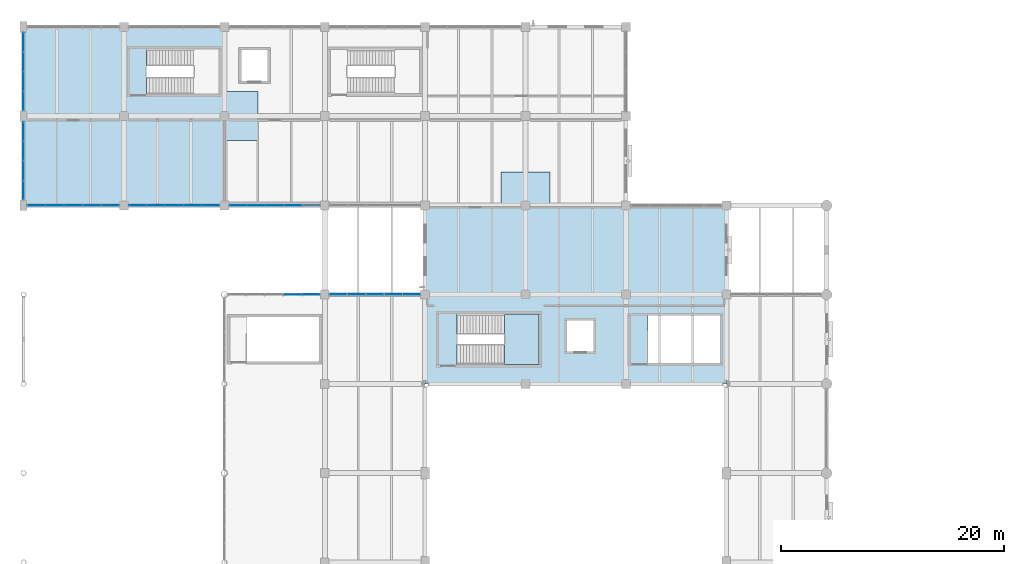
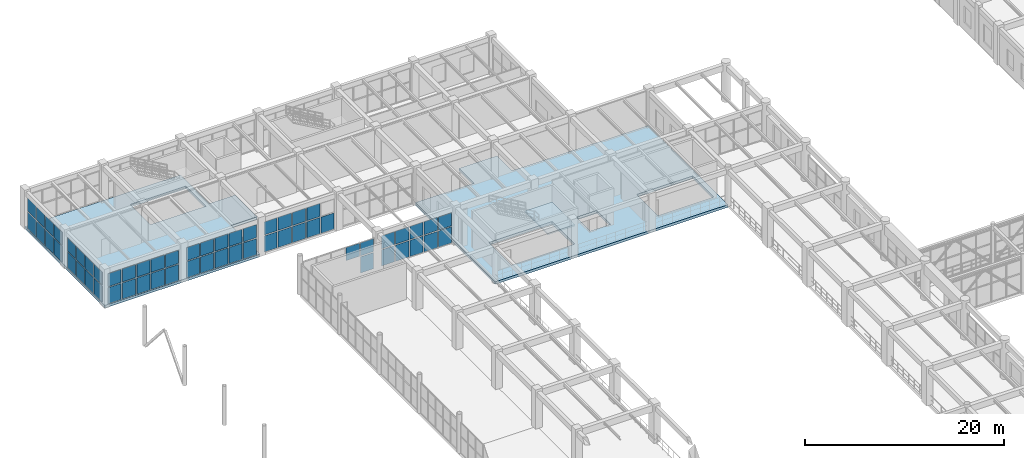
# One storey, part 145 of 178: 58 plates, 3 slabs, 8 elements without a shape of their own.
"""IFC4 building model written with IfcOpenShell, lengths in metres."""

from ifc_helpers import new_model, si_unit, derived_unit, direction, frame, origin, origin_2d, place, context, subcontext, project, spatial, polyline, rectangle, outline, extrude, material, layer, layer_set, type_object, element, aggregate, save


model = new_model("IFC4")

# Units and contexts
model_context = context("Model", 3, precision=1e-05, world=origin(), true_north=direction((0.0, 1.0)))
body_context = subcontext(model_context, "Body", "Model", "MODEL_VIEW")
ifc_project = project(units=[si_unit("LENGTHUNIT", "METRE"), si_unit("AREAUNIT", "SQUARE_METRE"), si_unit("VOLUMEUNIT", "CUBIC_METRE"), si_unit("PLANEANGLEUNIT", "RADIAN"), si_unit("MASSUNIT", "GRAM", prefix="KILO"), derived_unit("THERMALTRANSMITTANCEUNIT", [(si_unit("MASSUNIT", "GRAM", prefix="KILO"), 1), (si_unit("TIMEUNIT", "SECOND"), -3), (si_unit("THERMODYNAMICTEMPERATUREUNIT", "KELVIN"), -1)])], contexts=[model_context])

# Site, building, storey
site_placement = place(None, origin())
site = spatial("IfcSite", under=ifc_project, at=site_placement, CompositionType="ELEMENT")
building_placement = place(site_placement, origin())
building = spatial("IfcBuilding", under=site, at=building_placement, Name="Zhenchuan Archway Interchange", CompositionType="ELEMENT")
storey_placement = place(building_placement, frame((0.0, 0.0, 5.39990234375)))
storey = spatial("IfcBuildingStorey", under=building, at=storey_placement, Name="L01", CompositionType="ELEMENT", Elevation=5.39990234375)

# Curtain wall, plate
ifc_material_1 = material(Name="Anodised Aluminium", Category="aluminium")
curtain_wall_type_1 = type_object("IfcCurtainWallType", Name="CW_UNIT_2", PredefinedType="NOTDEFINED", material=ifc_material_1)
curtain_wall_1_placement = place(storey_placement, origin())
curtain_wall_1 = element("IfcCurtainWall", 1, at=curtain_wall_1_placement, inside=storey, type_object=curtain_wall_type_1, Name="Unitised curtain wall CW:L01:037", PredefinedType="NOTDEFINED")
ifc_material_2 = material(Name="Double Low-E Insulated Glazing", Category="glass")
ifc_layer_1 = layer(ifc_material_2, 0.028076171875)
ifc_layer_set_1 = layer_set([ifc_layer_1], Name="Double Low-E Insulated Glazing")
plate_type_1 = type_object("IfcPlateType", Name="CW_GLZ_1", PredefinedType="CURTAIN_PANEL", material=ifc_layer_set_1)
plate_1_placement = place(storey_placement, frame((25.783447265625, 88.0, 0.080078125), z_axis=(0.0, 0.0, 1.0), x_axis=(1.0, 0.0, 0.0)))
plate_1 = element("IfcPlate", 2, at=plate_1_placement, type_object=plate_type_1, Name="CW:L01:037 lower glazing panel 4", PredefinedType="CURTAIN_PANEL", context=body_context, shape_type="SweptSolid", body=[
    extrude(rectangle(XDim=1.51708984375, YDim=0.028076171875, at=origin_2d()), origin(), (0.0, 0.0, 1.0), 1.98291015625),
])

# Curtain wall, plates
curtain_wall_type_2 = type_object("IfcCurtainWallType", Name="CW_UNIT_3", PredefinedType="NOTDEFINED", material=ifc_material_1)
curtain_wall_2_placement = place(storey_placement, origin())
curtain_wall_2 = element("IfcCurtainWall", 3, at=curtain_wall_2_placement, inside=storey, type_object=curtain_wall_type_2, Name="Unitised curtain wall CW:L01:038", PredefinedType="NOTDEFINED")
plate_2_placement = place(storey_placement, frame((28.204345703125, 88.0, 0.080078125), z_axis=(0.0, 0.0, 1.0), x_axis=(1.0, 0.0, 0.0)))
plate_2 = element("IfcPlate", 4, at=plate_2_placement, type_object=plate_type_1, Name="CW:L01:038 lower glazing panel 0", PredefinedType="CURTAIN_PANEL", context=body_context, shape_type="SweptSolid", body=[
    extrude(rectangle(XDim=1.492919921875, YDim=0.028076171875, at=origin_2d()), origin(), (0.0, 0.0, 1.0), 1.98291015625),
])
plate_3_placement = place(storey_placement, frame((29.84716796875, 88.0, 0.080078125), z_axis=(0.0, 0.0, 1.0), x_axis=(1.0, 0.0, 0.0)))
plate_3 = element("IfcPlate", 5, at=plate_3_placement, type_object=plate_type_1, Name="CW:L01:038 lower glazing panel 1", PredefinedType="CURTAIN_PANEL", context=body_context, shape_type="SweptSolid", body=[
    extrude(rectangle(XDim=1.5126953125, YDim=0.028076171875, at=origin_2d()), origin(), (0.0, 0.0, 1.0), 1.98291015625),
])
plate_4_placement = place(storey_placement, frame((31.5, 88.0, 0.080078125), z_axis=(0.0, 0.0, 1.0), x_axis=(1.0, 0.0, 0.0)))
plate_4 = element("IfcPlate", 6, at=plate_4_placement, type_object=plate_type_1, Name="CW:L01:038 lower glazing panel 2", PredefinedType="CURTAIN_PANEL", context=body_context, shape_type="SweptSolid", body=[
    extrude(rectangle(XDim=1.5126953125, YDim=0.028076171875, at=origin_2d()), origin(), (0.0, 0.0, 1.0), 1.98291015625),
])
plate_5_placement = place(storey_placement, frame((33.15283203125, 88.0, 0.080078125), z_axis=(0.0, 0.0, 1.0), x_axis=(1.0, 0.0, 0.0)))
plate_5 = element("IfcPlate", 7, at=plate_5_placement, type_object=plate_type_1, Name="CW:L01:038 lower glazing panel 3", PredefinedType="CURTAIN_PANEL", context=body_context, shape_type="SweptSolid", body=[
    extrude(rectangle(XDim=1.5126953125, YDim=0.028076171875, at=origin_2d()), origin(), (0.0, 0.0, 1.0), 1.98291015625),
])
plate_6_placement = place(storey_placement, frame((34.795654296875, 88.0, 0.080078125), z_axis=(0.0, 0.0, 1.0), x_axis=(1.0, 0.0, 0.0)))
plate_6 = element("IfcPlate", 8, at=plate_6_placement, type_object=plate_type_1, Name="CW:L01:038 lower glazing panel 4", PredefinedType="CURTAIN_PANEL", context=body_context, shape_type="SweptSolid", body=[
    extrude(rectangle(XDim=1.492919921875, YDim=0.028076171875, at=origin_2d()), origin(), (0.0, 0.0, 1.0), 1.98291015625),
])

curtain_wall_type_3 = type_object("IfcCurtainWallType", Name="CW_UNIT_1", PredefinedType="NOTDEFINED", material=ifc_material_1)
curtain_wall_3_placement = place(storey_placement, origin())
curtain_wall_3 = element("IfcCurtainWall", 9, at=curtain_wall_3_placement, inside=storey, type_object=curtain_wall_type_3, Name="Unitised curtain wall CW:L01:040", PredefinedType="NOTDEFINED")
plate_7_placement = place(storey_placement, frame((25.795654296875, 96.0, 0.080078125), z_axis=(0.0, 0.0, 1.0), x_axis=(-1.0, 0.0, 0.0)))
plate_7 = element("IfcPlate", 10, at=plate_7_placement, type_object=plate_type_1, Name="CW:L01:040 lower glazing panel 0", PredefinedType="CURTAIN_PANEL", context=body_context, shape_type="SweptSolid", body=[
    extrude(rectangle(XDim=1.492919921875, YDim=0.028076171875, at=origin_2d()), origin(), (0.0, 0.0, 1.0), 1.98291015625),
])
plate_8_placement = place(storey_placement, frame((24.15283203125, 96.0, 0.080078125), z_axis=(0.0, 0.0, 1.0), x_axis=(-1.0, 0.0, 0.0)))
plate_8 = element("IfcPlate", 11, at=plate_8_placement, type_object=plate_type_1, Name="CW:L01:040 lower glazing panel 1", PredefinedType="CURTAIN_PANEL", context=body_context, shape_type="SweptSolid", body=[
    extrude(rectangle(XDim=1.5126953125, YDim=0.028076171875, at=origin_2d()), origin(), (0.0, 0.0, 1.0), 1.98291015625),
])
plate_9_placement = place(storey_placement, frame((22.5, 96.0, 0.080078125), z_axis=(0.0, 0.0, 1.0), x_axis=(-1.0, 0.0, 0.0)))
plate_9 = element("IfcPlate", 12, at=plate_9_placement, type_object=plate_type_1, Name="CW:L01:040 lower glazing panel 2", PredefinedType="CURTAIN_PANEL", context=body_context, shape_type="SweptSolid", body=[
    extrude(rectangle(XDim=1.5126953125, YDim=0.028076171875, at=origin_2d()), origin(), (0.0, 0.0, 1.0), 1.98291015625),
])
plate_10_placement = place(storey_placement, frame((20.84716796875, 96.0, 0.080078125), z_axis=(0.0, 0.0, 1.0), x_axis=(-1.0, 0.0, 0.0)))
plate_10 = element("IfcPlate", 13, at=plate_10_placement, type_object=plate_type_1, Name="CW:L01:040 lower glazing panel 3", PredefinedType="CURTAIN_PANEL", context=body_context, shape_type="SweptSolid", body=[
    extrude(rectangle(XDim=1.5126953125, YDim=0.028076171875, at=origin_2d()), origin(), (0.0, 0.0, 1.0), 1.98291015625),
])
plate_11_placement = place(storey_placement, frame((19.204345703125, 96.0, 0.080078125), z_axis=(0.0, 0.0, 1.0), x_axis=(-1.0, 0.0, 0.0)))
plate_11 = element("IfcPlate", 14, at=plate_11_placement, type_object=plate_type_1, Name="CW:L01:040 lower glazing panel 4", PredefinedType="CURTAIN_PANEL", context=body_context, shape_type="SweptSolid", body=[
    extrude(rectangle(XDim=1.492919921875, YDim=0.028076171875, at=origin_2d()), origin(), (0.0, 0.0, 1.0), 1.98291015625),
])

curtain_wall_4_placement = place(storey_placement, origin())
curtain_wall_4 = element("IfcCurtainWall", 15, at=curtain_wall_4_placement, inside=storey, type_object=curtain_wall_type_1, Name="Unitised curtain wall CW:L01:041", PredefinedType="NOTDEFINED")
plate_12_placement = place(storey_placement, frame((16.795654296875, 96.0, 0.080078125), z_axis=(0.0, 0.0, 1.0), x_axis=(-1.0, 0.0, 0.0)))
plate_12 = element("IfcPlate", 16, at=plate_12_placement, type_object=plate_type_1, Name="CW:L01:041 lower glazing panel 0", PredefinedType="CURTAIN_PANEL", context=body_context, shape_type="SweptSolid", body=[
    extrude(rectangle(XDim=1.492919921875, YDim=0.028076171875, at=origin_2d()), origin(), (0.0, 0.0, 1.0), 1.98291015625),
])
plate_13_placement = place(storey_placement, frame((15.15283203125, 96.0, 0.080078125), z_axis=(0.0, 0.0, 1.0), x_axis=(-1.0, 0.0, 0.0)))
plate_13 = element("IfcPlate", 17, at=plate_13_placement, type_object=plate_type_1, Name="CW:L01:041 lower glazing panel 1", PredefinedType="CURTAIN_PANEL", context=body_context, shape_type="SweptSolid", body=[
    extrude(rectangle(XDim=1.5126953125, YDim=0.028076171875, at=origin_2d()), origin(), (0.0, 0.0, 1.0), 1.98291015625),
])
plate_14_placement = place(storey_placement, frame((13.5, 96.0, 0.080078125), z_axis=(0.0, 0.0, 1.0), x_axis=(-1.0, 0.0, 0.0)))
plate_14 = element("IfcPlate", 18, at=plate_14_placement, type_object=plate_type_1, Name="CW:L01:041 lower glazing panel 2", PredefinedType="CURTAIN_PANEL", context=body_context, shape_type="SweptSolid", body=[
    extrude(rectangle(XDim=1.5126953125, YDim=0.028076171875, at=origin_2d()), origin(), (0.0, 0.0, 1.0), 1.98291015625),
])
plate_15_placement = place(storey_placement, frame((11.84716796875, 96.0, 0.080078125), z_axis=(0.0, 0.0, 1.0), x_axis=(-1.0, 0.0, 0.0)))
plate_15 = element("IfcPlate", 19, at=plate_15_placement, type_object=plate_type_1, Name="CW:L01:041 lower glazing panel 3", PredefinedType="CURTAIN_PANEL", context=body_context, shape_type="SweptSolid", body=[
    extrude(rectangle(XDim=1.5126953125, YDim=0.028076171875, at=origin_2d()), origin(), (0.0, 0.0, 1.0), 1.98291015625),
])
plate_16_placement = place(storey_placement, frame((10.204345703125, 96.0, 0.080078125), z_axis=(0.0, 0.0, 1.0), x_axis=(-1.0, 0.0, 0.0)))
plate_16 = element("IfcPlate", 20, at=plate_16_placement, type_object=plate_type_1, Name="CW:L01:041 lower glazing panel 4", PredefinedType="CURTAIN_PANEL", context=body_context, shape_type="SweptSolid", body=[
    extrude(rectangle(XDim=1.492919921875, YDim=0.028076171875, at=origin_2d()), origin(), (0.0, 0.0, 1.0), 1.98291015625),
])

curtain_wall_5_placement = place(storey_placement, origin())
curtain_wall_5 = element("IfcCurtainWall", 21, at=curtain_wall_5_placement, inside=storey, type_object=curtain_wall_type_2, Name="Unitised curtain wall CW:L01:042", PredefinedType="NOTDEFINED")
plate_17_placement = place(storey_placement, frame((7.7880859375, 96.0, 0.080078125), z_axis=(0.0, 0.0, 1.0), x_axis=(-1.0, 0.0, 0.0)))
plate_17 = element("IfcPlate", 22, at=plate_17_placement, type_object=plate_type_1, Name="CW:L01:042 lower glazing panel 0", PredefinedType="CURTAIN_PANEL", context=body_context, shape_type="SweptSolid", body=[
    extrude(rectangle(XDim=1.5078125, YDim=0.028076171875, at=origin_2d()), origin(), (0.0, 0.0, 1.0), 1.98291015625),
])
plate_18_placement = place(storey_placement, frame((6.13037109375, 96.0, 0.080078125), z_axis=(0.0, 0.0, 1.0), x_axis=(-1.0, 0.0, 0.0)))
plate_18 = element("IfcPlate", 23, at=plate_18_placement, type_object=plate_type_1, Name="CW:L01:042 lower glazing panel 1", PredefinedType="CURTAIN_PANEL", context=body_context, shape_type="SweptSolid", body=[
    extrude(rectangle(XDim=1.52783203125, YDim=0.028076171875, at=origin_2d()), origin(), (0.0, 0.0, 1.0), 1.98291015625),
])
plate_19_placement = place(storey_placement, frame((4.46240234375, 96.0, 0.080078125), z_axis=(0.0, 0.0, 1.0), x_axis=(-1.0, 0.0, 0.0)))
plate_19 = element("IfcPlate", 24, at=plate_19_placement, type_object=plate_type_1, Name="CW:L01:042 lower glazing panel 2", PredefinedType="CURTAIN_PANEL", context=body_context, shape_type="SweptSolid", body=[
    extrude(rectangle(XDim=1.52783203125, YDim=0.028076171875, at=origin_2d()), origin(), (0.0, 0.0, 1.0), 1.98291015625),
])
plate_20_placement = place(storey_placement, frame((2.794677734375, 96.0, 0.080078125), z_axis=(0.0, 0.0, 1.0), x_axis=(-1.0, 0.0, 0.0)))
plate_20 = element("IfcPlate", 25, at=plate_20_placement, type_object=plate_type_1, Name="CW:L01:042 lower glazing panel 3", PredefinedType="CURTAIN_PANEL", context=body_context, shape_type="SweptSolid", body=[
    extrude(rectangle(XDim=1.52783203125, YDim=0.028076171875, at=origin_2d()), origin(), (0.0, 0.0, 1.0), 1.98291015625),
])
plate_21_placement = place(storey_placement, frame((1.136962890625, 96.0, 0.080078125), z_axis=(0.0, 0.0, 1.0), x_axis=(-1.0, 0.0, 0.0)))
plate_21 = element("IfcPlate", 26, at=plate_21_placement, type_object=plate_type_1, Name="CW:L01:042 lower glazing panel 4", PredefinedType="CURTAIN_PANEL", context=body_context, shape_type="SweptSolid", body=[
    extrude(rectangle(XDim=1.5078125, YDim=0.028076171875, at=origin_2d()), origin(), (0.0, 0.0, 1.0), 1.98291015625),
])

# Plate
ifc_layer_2 = layer(ifc_material_2, 0.02587890625)
ifc_layer_set_2 = layer_set([ifc_layer_2], Name="Double Low-E Insulated Glazing")
plate_type_2 = type_object("IfcPlateType", Name="CW_GLZ_2", PredefinedType="CURTAIN_PANEL", material=ifc_layer_set_2)
plate_22_placement = place(storey_placement, frame((24.116455078125, 88.0, 2.18310546875), z_axis=(0.0, 0.0, 1.0), x_axis=(1.0, 0.0, 0.0)))
plate_22 = element("IfcPlate", 27, at=plate_22_placement, type_object=plate_type_2, Name="CW:L01:037 upper glazing panel 3", PredefinedType="CURTAIN_PANEL", context=body_context, shape_type="SweptSolid", body=[
    extrude(rectangle(XDim=1.537109375, YDim=0.02587890625, at=origin_2d()), origin(), (0.0, 0.0, 1.0), 1.596923828125),
])

plate_23_placement = place(storey_placement, frame((25.783447265625, 88.0, 2.18310546875), z_axis=(0.0, 0.0, 1.0), x_axis=(1.0, 0.0, 0.0)))
plate_23 = element("IfcPlate", 28, at=plate_23_placement, type_object=plate_type_2, Name="CW:L01:037 upper glazing panel 4", PredefinedType="CURTAIN_PANEL", context=body_context, shape_type="SweptSolid", body=[
    extrude(rectangle(XDim=1.51708984375, YDim=0.02587890625, at=origin_2d()), origin(), (0.0, 0.0, 1.0), 1.596923828125),
])

aggregate(curtain_wall_1, [plate_22, plate_1, plate_23])

plate_24_placement = place(storey_placement, frame((28.204345703125, 88.0, 2.18310546875), z_axis=(0.0, 0.0, 1.0), x_axis=(1.0, 0.0, 0.0)))
plate_24 = element("IfcPlate", 29, at=plate_24_placement, type_object=plate_type_2, Name="CW:L01:038 upper glazing panel 0", PredefinedType="CURTAIN_PANEL", context=body_context, shape_type="SweptSolid", body=[
    extrude(rectangle(XDim=1.492919921875, YDim=0.02587890625, at=origin_2d()), origin(), (0.0, 0.0, 1.0), 1.596923828125),
])

plate_25_placement = place(storey_placement, frame((29.84716796875, 88.0, 2.18310546875), z_axis=(0.0, 0.0, 1.0), x_axis=(1.0, 0.0, 0.0)))
plate_25 = element("IfcPlate", 30, at=plate_25_placement, type_object=plate_type_2, Name="CW:L01:038 upper glazing panel 1", PredefinedType="CURTAIN_PANEL", context=body_context, shape_type="SweptSolid", body=[
    extrude(rectangle(XDim=1.5126953125, YDim=0.02587890625, at=origin_2d()), origin(), (0.0, 0.0, 1.0), 1.596923828125),
])

plate_26_placement = place(storey_placement, frame((31.5, 88.0, 2.18310546875), z_axis=(0.0, 0.0, 1.0), x_axis=(1.0, 0.0, 0.0)))
plate_26 = element("IfcPlate", 31, at=plate_26_placement, type_object=plate_type_2, Name="CW:L01:038 upper glazing panel 2", PredefinedType="CURTAIN_PANEL", context=body_context, shape_type="SweptSolid", body=[
    extrude(rectangle(XDim=1.5126953125, YDim=0.02587890625, at=origin_2d()), origin(), (0.0, 0.0, 1.0), 1.596923828125),
])

plate_27_placement = place(storey_placement, frame((33.15283203125, 88.0, 2.18310546875), z_axis=(0.0, 0.0, 1.0), x_axis=(1.0, 0.0, 0.0)))
plate_27 = element("IfcPlate", 32, at=plate_27_placement, type_object=plate_type_2, Name="CW:L01:038 upper glazing panel 3", PredefinedType="CURTAIN_PANEL", context=body_context, shape_type="SweptSolid", body=[
    extrude(rectangle(XDim=1.5126953125, YDim=0.02587890625, at=origin_2d()), origin(), (0.0, 0.0, 1.0), 1.596923828125),
])

plate_28_placement = place(storey_placement, frame((34.795654296875, 88.0, 2.18310546875), z_axis=(0.0, 0.0, 1.0), x_axis=(1.0, 0.0, 0.0)))
plate_28 = element("IfcPlate", 33, at=plate_28_placement, type_object=plate_type_2, Name="CW:L01:038 upper glazing panel 4", PredefinedType="CURTAIN_PANEL", context=body_context, shape_type="SweptSolid", body=[
    extrude(rectangle(XDim=1.492919921875, YDim=0.02587890625, at=origin_2d()), origin(), (0.0, 0.0, 1.0), 1.596923828125),
])

aggregate(curtain_wall_2, [plate_2, plate_24, plate_3, plate_25, plate_4, plate_26, plate_5, plate_27, plate_6, plate_28])

plate_29_placement = place(storey_placement, frame((24.15283203125, 96.0, 2.18310546875), z_axis=(0.0, 0.0, 1.0), x_axis=(-1.0, 0.0, 0.0)))
plate_29 = element("IfcPlate", 34, at=plate_29_placement, type_object=plate_type_2, Name="CW:L01:040 upper glazing panel 1", PredefinedType="CURTAIN_PANEL", context=body_context, shape_type="SweptSolid", body=[
    extrude(rectangle(XDim=1.5126953125, YDim=0.02587890625, at=origin_2d()), origin(), (0.0, 0.0, 1.0), 1.596923828125),
])

plate_30_placement = place(storey_placement, frame((22.5, 96.0, 2.18310546875), z_axis=(0.0, 0.0, 1.0), x_axis=(-1.0, 0.0, 0.0)))
plate_30 = element("IfcPlate", 35, at=plate_30_placement, type_object=plate_type_2, Name="CW:L01:040 upper glazing panel 2", PredefinedType="CURTAIN_PANEL", context=body_context, shape_type="SweptSolid", body=[
    extrude(rectangle(XDim=1.5126953125, YDim=0.02587890625, at=origin_2d()), origin(), (0.0, 0.0, 1.0), 1.596923828125),
])

plate_31_placement = place(storey_placement, frame((20.84716796875, 96.0, 2.18310546875), z_axis=(0.0, 0.0, 1.0), x_axis=(-1.0, 0.0, 0.0)))
plate_31 = element("IfcPlate", 36, at=plate_31_placement, type_object=plate_type_2, Name="CW:L01:040 upper glazing panel 3", PredefinedType="CURTAIN_PANEL", context=body_context, shape_type="SweptSolid", body=[
    extrude(rectangle(XDim=1.5126953125, YDim=0.02587890625, at=origin_2d()), origin(), (0.0, 0.0, 1.0), 1.596923828125),
])

plate_32_placement = place(storey_placement, frame((19.204345703125, 96.0, 2.18310546875), z_axis=(0.0, 0.0, 1.0), x_axis=(-1.0, 0.0, 0.0)))
plate_32 = element("IfcPlate", 37, at=plate_32_placement, type_object=plate_type_2, Name="CW:L01:040 upper glazing panel 4", PredefinedType="CURTAIN_PANEL", context=body_context, shape_type="SweptSolid", body=[
    extrude(rectangle(XDim=1.492919921875, YDim=0.02587890625, at=origin_2d()), origin(), (0.0, 0.0, 1.0), 1.596923828125),
])

aggregate(curtain_wall_3, [plate_7, plate_8, plate_29, plate_9, plate_30, plate_10, plate_31, plate_11, plate_32])

plate_33_placement = place(storey_placement, frame((16.795654296875, 96.0, 2.18310546875), z_axis=(0.0, 0.0, 1.0), x_axis=(-1.0, 0.0, 0.0)))
plate_33 = element("IfcPlate", 38, at=plate_33_placement, type_object=plate_type_2, Name="CW:L01:041 upper glazing panel 0", PredefinedType="CURTAIN_PANEL", context=body_context, shape_type="SweptSolid", body=[
    extrude(rectangle(XDim=1.492919921875, YDim=0.02587890625, at=origin_2d()), origin(), (0.0, 0.0, 1.0), 1.596923828125),
])

plate_34_placement = place(storey_placement, frame((15.15283203125, 96.0, 2.18310546875), z_axis=(0.0, 0.0, 1.0), x_axis=(-1.0, 0.0, 0.0)))
plate_34 = element("IfcPlate", 39, at=plate_34_placement, type_object=plate_type_2, Name="CW:L01:041 upper glazing panel 1", PredefinedType="CURTAIN_PANEL", context=body_context, shape_type="SweptSolid", body=[
    extrude(rectangle(XDim=1.5126953125, YDim=0.02587890625, at=origin_2d()), origin(), (0.0, 0.0, 1.0), 1.596923828125),
])

plate_35_placement = place(storey_placement, frame((13.5, 96.0, 2.18310546875), z_axis=(0.0, 0.0, 1.0), x_axis=(-1.0, 0.0, 0.0)))
plate_35 = element("IfcPlate", 40, at=plate_35_placement, type_object=plate_type_2, Name="CW:L01:041 upper glazing panel 2", PredefinedType="CURTAIN_PANEL", context=body_context, shape_type="SweptSolid", body=[
    extrude(rectangle(XDim=1.5126953125, YDim=0.02587890625, at=origin_2d()), origin(), (0.0, 0.0, 1.0), 1.596923828125),
])

plate_36_placement = place(storey_placement, frame((11.84716796875, 96.0, 2.18310546875), z_axis=(0.0, 0.0, 1.0), x_axis=(-1.0, 0.0, 0.0)))
plate_36 = element("IfcPlate", 41, at=plate_36_placement, type_object=plate_type_2, Name="CW:L01:041 upper glazing panel 3", PredefinedType="CURTAIN_PANEL", context=body_context, shape_type="SweptSolid", body=[
    extrude(rectangle(XDim=1.5126953125, YDim=0.02587890625, at=origin_2d()), origin(), (0.0, 0.0, 1.0), 1.596923828125),
])

plate_37_placement = place(storey_placement, frame((10.204345703125, 96.0, 2.18310546875), z_axis=(0.0, 0.0, 1.0), x_axis=(-1.0, 0.0, 0.0)))
plate_37 = element("IfcPlate", 42, at=plate_37_placement, type_object=plate_type_2, Name="CW:L01:041 upper glazing panel 4", PredefinedType="CURTAIN_PANEL", context=body_context, shape_type="SweptSolid", body=[
    extrude(rectangle(XDim=1.492919921875, YDim=0.02587890625, at=origin_2d()), origin(), (0.0, 0.0, 1.0), 1.596923828125),
])

aggregate(curtain_wall_4, [plate_12, plate_33, plate_13, plate_34, plate_14, plate_35, plate_15, plate_36, plate_16, plate_37])

plate_38_placement = place(storey_placement, frame((7.7880859375, 96.0, 2.18310546875), z_axis=(0.0, 0.0, 1.0), x_axis=(-1.0, 0.0, 0.0)))
plate_38 = element("IfcPlate", 43, at=plate_38_placement, type_object=plate_type_2, Name="CW:L01:042 upper glazing panel 0", PredefinedType="CURTAIN_PANEL", context=body_context, shape_type="SweptSolid", body=[
    extrude(rectangle(XDim=1.5078125, YDim=0.02587890625, at=origin_2d()), origin(), (0.0, 0.0, 1.0), 1.596923828125),
])

plate_39_placement = place(storey_placement, frame((6.13037109375, 96.0, 2.18310546875), z_axis=(0.0, 0.0, 1.0), x_axis=(-1.0, 0.0, 0.0)))
plate_39 = element("IfcPlate", 44, at=plate_39_placement, type_object=plate_type_2, Name="CW:L01:042 upper glazing panel 1", PredefinedType="CURTAIN_PANEL", context=body_context, shape_type="SweptSolid", body=[
    extrude(rectangle(XDim=1.52783203125, YDim=0.02587890625, at=origin_2d()), origin(), (0.0, 0.0, 1.0), 1.596923828125),
])

plate_40_placement = place(storey_placement, frame((4.46240234375, 96.0, 2.18310546875), z_axis=(0.0, 0.0, 1.0), x_axis=(-1.0, 0.0, 0.0)))
plate_40 = element("IfcPlate", 45, at=plate_40_placement, type_object=plate_type_2, Name="CW:L01:042 upper glazing panel 2", PredefinedType="CURTAIN_PANEL", context=body_context, shape_type="SweptSolid", body=[
    extrude(rectangle(XDim=1.52783203125, YDim=0.02587890625, at=origin_2d()), origin(), (0.0, 0.0, 1.0), 1.596923828125),
])

plate_41_placement = place(storey_placement, frame((2.794677734375, 96.0, 2.18310546875), z_axis=(0.0, 0.0, 1.0), x_axis=(-1.0, 0.0, 0.0)))
plate_41 = element("IfcPlate", 46, at=plate_41_placement, type_object=plate_type_2, Name="CW:L01:042 upper glazing panel 3", PredefinedType="CURTAIN_PANEL", context=body_context, shape_type="SweptSolid", body=[
    extrude(rectangle(XDim=1.52783203125, YDim=0.02587890625, at=origin_2d()), origin(), (0.0, 0.0, 1.0), 1.596923828125),
])

plate_42_placement = place(storey_placement, frame((1.136962890625, 96.0, 2.18310546875), z_axis=(0.0, 0.0, 1.0), x_axis=(-1.0, 0.0, 0.0)))
plate_42 = element("IfcPlate", 47, at=plate_42_placement, type_object=plate_type_2, Name="CW:L01:042 upper glazing panel 4", PredefinedType="CURTAIN_PANEL", context=body_context, shape_type="SweptSolid", body=[
    extrude(rectangle(XDim=1.5078125, YDim=0.02587890625, at=origin_2d()), origin(), (0.0, 0.0, 1.0), 1.596923828125),
])

aggregate(curtain_wall_5, [plate_17, plate_38, plate_18, plate_39, plate_19, plate_40, plate_20, plate_41, plate_21, plate_42])

# Curtain wall, plates
curtain_wall_type_4 = type_object("IfcCurtainWallType", Name="CW_UNIT_4", PredefinedType="NOTDEFINED", material=ifc_material_1)
curtain_wall_6_placement = place(storey_placement, origin())
curtain_wall_6 = element("IfcCurtainWall", 48, at=curtain_wall_6_placement, inside=storey, type_object=curtain_wall_type_4, Name="Unitised curtain wall CW:L01:043", PredefinedType="NOTDEFINED")
ifc_layer_3 = layer(ifc_material_2, 0.030029296875)
ifc_layer_set_3 = layer_set([ifc_layer_3], Name="Double Low-E Insulated Glazing")
plate_type_3 = type_object("IfcPlateType", Name="CW_GLZ_3", PredefinedType="CURTAIN_PANEL", material=ifc_layer_set_3)
plate_43_placement = place(storey_placement, frame((0.0, 97.34228515625, 0.080078125), z_axis=(0.0, 0.0, 1.0), x_axis=(0.0, 1.0, 0.0)))
plate_43 = element("IfcPlate", 49, at=plate_43_placement, type_object=plate_type_3, Name="CW:L01:043 lower glazing panel 0", PredefinedType="CURTAIN_PANEL", context=body_context, shape_type="SweptSolid", body=[
    extrude(rectangle(XDim=1.618408203125, YDim=0.028076171875, at=origin_2d()), origin(), (0.0, 0.0, 1.0), 1.98291015625),
])
plate_44_placement = place(storey_placement, frame((0.0, 99.110595703125, 0.080078125), z_axis=(0.0, 0.0, 1.0), x_axis=(0.0, 1.0, 0.0)))
plate_44 = element("IfcPlate", 50, at=plate_44_placement, type_object=plate_type_3, Name="CW:L01:043 lower glazing panel 1", PredefinedType="CURTAIN_PANEL", context=body_context, shape_type="SweptSolid", body=[
    extrude(rectangle(XDim=1.638427734375, YDim=0.028076171875, at=origin_2d()), origin(), (0.0, 0.0, 1.0), 1.98291015625),
])
plate_45_placement = place(storey_placement, frame((0.0, 100.889404296875, 0.080078125), z_axis=(0.0, 0.0, 1.0), x_axis=(0.0, 1.0, 0.0)))
plate_45 = element("IfcPlate", 51, at=plate_45_placement, type_object=plate_type_3, Name="CW:L01:043 lower glazing panel 2", PredefinedType="CURTAIN_PANEL", context=body_context, shape_type="SweptSolid", body=[
    extrude(rectangle(XDim=1.638427734375, YDim=0.028076171875, at=origin_2d()), origin(), (0.0, 0.0, 1.0), 1.98291015625),
])
plate_46_placement = place(storey_placement, frame((0.0, 102.65771484375, 0.080078125), z_axis=(0.0, 0.0, 1.0), x_axis=(0.0, 1.0, 0.0)))
plate_46 = element("IfcPlate", 52, at=plate_46_placement, type_object=plate_type_3, Name="CW:L01:043 lower glazing panel 3", PredefinedType="CURTAIN_PANEL", context=body_context, shape_type="SweptSolid", body=[
    extrude(rectangle(XDim=1.618408203125, YDim=0.028076171875, at=origin_2d()), origin(), (0.0, 0.0, 1.0), 1.98291015625),
])

curtain_wall_7_placement = place(storey_placement, origin())
curtain_wall_7 = element("IfcCurtainWall", 53, at=curtain_wall_7_placement, inside=storey, type_object=curtain_wall_type_3, Name="Unitised curtain wall CW:L01:044", PredefinedType="NOTDEFINED")
plate_47_placement = place(storey_placement, frame((0.0, 105.34228515625, 0.080078125), z_axis=(0.0, 0.0, 1.0), x_axis=(0.0, 1.0, 0.0)))
plate_47 = element("IfcPlate", 54, at=plate_47_placement, type_object=plate_type_3, Name="CW:L01:044 lower glazing panel 0", PredefinedType="CURTAIN_PANEL", context=body_context, shape_type="SweptSolid", body=[
    extrude(rectangle(XDim=1.618408203125, YDim=0.028076171875, at=origin_2d()), origin(), (0.0, 0.0, 1.0), 1.98291015625),
])
plate_48_placement = place(storey_placement, frame((0.0, 107.110595703125, 0.080078125), z_axis=(0.0, 0.0, 1.0), x_axis=(0.0, 1.0, 0.0)))
plate_48 = element("IfcPlate", 55, at=plate_48_placement, type_object=plate_type_3, Name="CW:L01:044 lower glazing panel 1", PredefinedType="CURTAIN_PANEL", context=body_context, shape_type="SweptSolid", body=[
    extrude(rectangle(XDim=1.638427734375, YDim=0.028076171875, at=origin_2d()), origin(), (0.0, 0.0, 1.0), 1.98291015625),
])
plate_49_placement = place(storey_placement, frame((0.0, 108.889404296875, 0.080078125), z_axis=(0.0, 0.0, 1.0), x_axis=(0.0, 1.0, 0.0)))
plate_49 = element("IfcPlate", 56, at=plate_49_placement, type_object=plate_type_3, Name="CW:L01:044 lower glazing panel 2", PredefinedType="CURTAIN_PANEL", context=body_context, shape_type="SweptSolid", body=[
    extrude(rectangle(XDim=1.638427734375, YDim=0.028076171875, at=origin_2d()), origin(), (0.0, 0.0, 1.0), 1.98291015625),
])
plate_50_placement = place(storey_placement, frame((0.0, 110.65771484375, 0.080078125), z_axis=(0.0, 0.0, 1.0), x_axis=(0.0, 1.0, 0.0)))
plate_50 = element("IfcPlate", 57, at=plate_50_placement, type_object=plate_type_3, Name="CW:L01:044 lower glazing panel 3", PredefinedType="CURTAIN_PANEL", context=body_context, shape_type="SweptSolid", body=[
    extrude(rectangle(XDim=1.618408203125, YDim=0.028076171875, at=origin_2d()), origin(), (0.0, 0.0, 1.0), 1.98291015625),
])

# Plate
ifc_layer_4 = layer(ifc_material_2, 0.02392578125)
ifc_layer_set_4 = layer_set([ifc_layer_4], Name="Double Low-E Insulated Glazing")
plate_type_4 = type_object("IfcPlateType", Name="CW_GLZ_4", PredefinedType="CURTAIN_PANEL", material=ifc_layer_set_4)
plate_51_placement = place(storey_placement, frame((0.0, 97.34228515625, 2.18310546875), z_axis=(0.0, 0.0, 1.0), x_axis=(0.0, 1.0, 0.0)))
plate_51 = element("IfcPlate", 58, at=plate_51_placement, type_object=plate_type_4, Name="CW:L01:043 upper glazing panel 0", PredefinedType="CURTAIN_PANEL", context=body_context, shape_type="SweptSolid", body=[
    extrude(rectangle(XDim=1.618408203125, YDim=0.02587890625, at=origin_2d()), origin(), (0.0, 0.0, 1.0), 1.596923828125),
])

plate_52_placement = place(storey_placement, frame((0.0, 99.110595703125, 2.18310546875), z_axis=(0.0, 0.0, 1.0), x_axis=(0.0, 1.0, 0.0)))
plate_52 = element("IfcPlate", 59, at=plate_52_placement, type_object=plate_type_4, Name="CW:L01:043 upper glazing panel 1", PredefinedType="CURTAIN_PANEL", context=body_context, shape_type="SweptSolid", body=[
    extrude(rectangle(XDim=1.638427734375, YDim=0.02587890625, at=origin_2d()), origin(), (0.0, 0.0, 1.0), 1.596923828125),
])

plate_53_placement = place(storey_placement, frame((0.0, 100.889404296875, 2.18310546875), z_axis=(0.0, 0.0, 1.0), x_axis=(0.0, 1.0, 0.0)))
plate_53 = element("IfcPlate", 60, at=plate_53_placement, type_object=plate_type_4, Name="CW:L01:043 upper glazing panel 2", PredefinedType="CURTAIN_PANEL", context=body_context, shape_type="SweptSolid", body=[
    extrude(rectangle(XDim=1.638427734375, YDim=0.02587890625, at=origin_2d()), origin(), (0.0, 0.0, 1.0), 1.596923828125),
])

plate_54_placement = place(storey_placement, frame((0.0, 102.65771484375, 2.18310546875), z_axis=(0.0, 0.0, 1.0), x_axis=(0.0, 1.0, 0.0)))
plate_54 = element("IfcPlate", 61, at=plate_54_placement, type_object=plate_type_4, Name="CW:L01:043 upper glazing panel 3", PredefinedType="CURTAIN_PANEL", context=body_context, shape_type="SweptSolid", body=[
    extrude(rectangle(XDim=1.618408203125, YDim=0.02587890625, at=origin_2d()), origin(), (0.0, 0.0, 1.0), 1.596923828125),
])

aggregate(curtain_wall_6, [plate_43, plate_51, plate_44, plate_52, plate_45, plate_53, plate_46, plate_54])

plate_55_placement = place(storey_placement, frame((0.0, 105.34228515625, 2.18310546875), z_axis=(0.0, 0.0, 1.0), x_axis=(0.0, 1.0, 0.0)))
plate_55 = element("IfcPlate", 62, at=plate_55_placement, type_object=plate_type_4, Name="CW:L01:044 upper glazing panel 0", PredefinedType="CURTAIN_PANEL", context=body_context, shape_type="SweptSolid", body=[
    extrude(rectangle(XDim=1.618408203125, YDim=0.02587890625, at=origin_2d()), origin(), (0.0, 0.0, 1.0), 1.596923828125),
])

plate_56_placement = place(storey_placement, frame((0.0, 107.110595703125, 2.18310546875), z_axis=(0.0, 0.0, 1.0), x_axis=(0.0, 1.0, 0.0)))
plate_56 = element("IfcPlate", 63, at=plate_56_placement, type_object=plate_type_4, Name="CW:L01:044 upper glazing panel 1", PredefinedType="CURTAIN_PANEL", context=body_context, shape_type="SweptSolid", body=[
    extrude(rectangle(XDim=1.638427734375, YDim=0.02587890625, at=origin_2d()), origin(), (0.0, 0.0, 1.0), 1.596923828125),
])

plate_57_placement = place(storey_placement, frame((0.0, 108.889404296875, 2.18310546875), z_axis=(0.0, 0.0, 1.0), x_axis=(0.0, 1.0, 0.0)))
plate_57 = element("IfcPlate", 64, at=plate_57_placement, type_object=plate_type_4, Name="CW:L01:044 upper glazing panel 2", PredefinedType="CURTAIN_PANEL", context=body_context, shape_type="SweptSolid", body=[
    extrude(rectangle(XDim=1.638427734375, YDim=0.02587890625, at=origin_2d()), origin(), (0.0, 0.0, 1.0), 1.596923828125),
])

plate_58_placement = place(storey_placement, frame((0.0, 110.65771484375, 2.18310546875), z_axis=(0.0, 0.0, 1.0), x_axis=(0.0, 1.0, 0.0)))
plate_58 = element("IfcPlate", 65, at=plate_58_placement, type_object=plate_type_4, Name="CW:L01:044 upper glazing panel 3", PredefinedType="CURTAIN_PANEL", context=body_context, shape_type="SweptSolid", body=[
    extrude(rectangle(XDim=1.618408203125, YDim=0.02587890625, at=origin_2d()), origin(), (0.0, 0.0, 1.0), 1.596923828125),
])

aggregate(curtain_wall_7, [plate_47, plate_55, plate_48, plate_56, plate_49, plate_57, plate_50, plate_58])

# Slabs
ifc_material_3 = material(Name="Concrete C40", Category="concrete")
ifc_layer_5 = layer(ifc_material_3, 0.320068359375)
ifc_layer_set_5 = layer_set([ifc_layer_5], Name="Concrete C40")
slab_type_1 = type_object("IfcSlabType", Name="SLB_FLR_320", PredefinedType="FLOOR", material=ifc_layer_set_5)
slab_1_placement = place(storey_placement, frame((0.0, 0.0, -0.31982421875)))
element("IfcSlab", 66, at=slab_1_placement, inside=storey, type_object=slab_type_1, Name="Structural slab L01 CH-N", PredefinedType="FLOOR", context=body_context, shape_type="SweptSolid", body=[
    extrude(outline(polyline([(42.802001953125, 96.0), (42.802001953125, 98.998046875), (47.197998046875, 98.998046875), (47.197998046875, 96.0), (63.0, 96.0), (63.0, 80.0), (36.0, 80.0), (36.0, 96.0), (42.802001953125, 96.0)]), holes=[polyline([(38.875, 81.72509765625), (46.22509765625, 81.72509765625), (46.22509765625, 86.27490234375), (38.875, 86.27490234375), (38.875, 81.72509765625)]), polyline([(55.965087890625, 86.125), (55.965087890625, 81.875), (62.43505859375, 81.875), (62.43505859375, 86.125), (55.965087890625, 86.125)]), polyline([(51.080078125, 85.679931640625), (48.719970703125, 85.679931640625), (48.719970703125, 82.919921875), (51.080078125, 82.919921875), (51.080078125, 85.679931640625)])]), origin(), (0.0, 0.0, 1.0), 0.31982421875),
])
slab_2_placement = place(storey_placement, frame((0.0, 0.0, -0.31982421875)))
element("IfcSlab", 67, at=slab_2_placement, inside=storey, type_object=slab_type_1, Name="Structural slab L01 TRM-W", PredefinedType="FLOOR", context=body_context, shape_type="SweptSolid", body=[
    extrude(outline(polyline([(0.0, 96.0), (0.0, 112.0), (18.0, 112.0), (18.0, 106.197998046875), (20.998046875, 106.197998046875), (20.998046875, 101.802001953125), (18.0, 101.802001953125), (18.0, 96.0), (0.0, 96.0)]), holes=[polyline([(17.4951171875, 105.97509765625), (17.4951171875, 110.02490234375), (11.02490234375, 110.02490234375), (11.02490234375, 105.97509765625), (17.4951171875, 105.97509765625)])]), origin(), (0.0, 0.0, 1.0), 0.31982421875),
])

# Stair, slab
ifc_material_4 = material(Name="Concrete C35", Category="concrete")
stair_type = type_object("IfcStairType", Name="STR_HALF_1800", PredefinedType="HALF_TURN_STAIR", material=ifc_material_4)
stair_placement = place(storey_placement, origin())
stair = element("IfcStair", 68, at=stair_placement, inside=storey, type_object=stair_type, Name="Stair ST-M2 (L01)", PredefinedType="HALF_TURN_STAIR")
ifc_layer_6 = layer(ifc_material_4, 0.199951171875)
ifc_layer_set_6 = layer_set([ifc_layer_6], Name="Concrete C35")
slab_type_2 = type_object("IfcSlabType", Name="SLB_LANDING_200", PredefinedType="LANDING", material=ifc_layer_set_6)
slab_3_placement = place(storey_placement, frame((0.0, 0.0, 2.2001953125)))
slab_3 = element("IfcSlab", 69, at=slab_3_placement, type_object=slab_type_2, Name="Stair ST-M2 half-landing (L01)", PredefinedType="LANDING", context=body_context, shape_type="SweptSolid", body=[
    extrude(outline(polyline([(43.094970703125, 81.722900390625), (46.22705078125, 81.722900390625), (46.22705078125, 86.277099609375), (43.094970703125, 86.277099609375), (43.094970703125, 81.722900390625)])), origin(), (0.0, 0.0, 1.0), 0.199951171875),
])
aggregate(stair, [slab_3])

save(model, "model.ifc")
